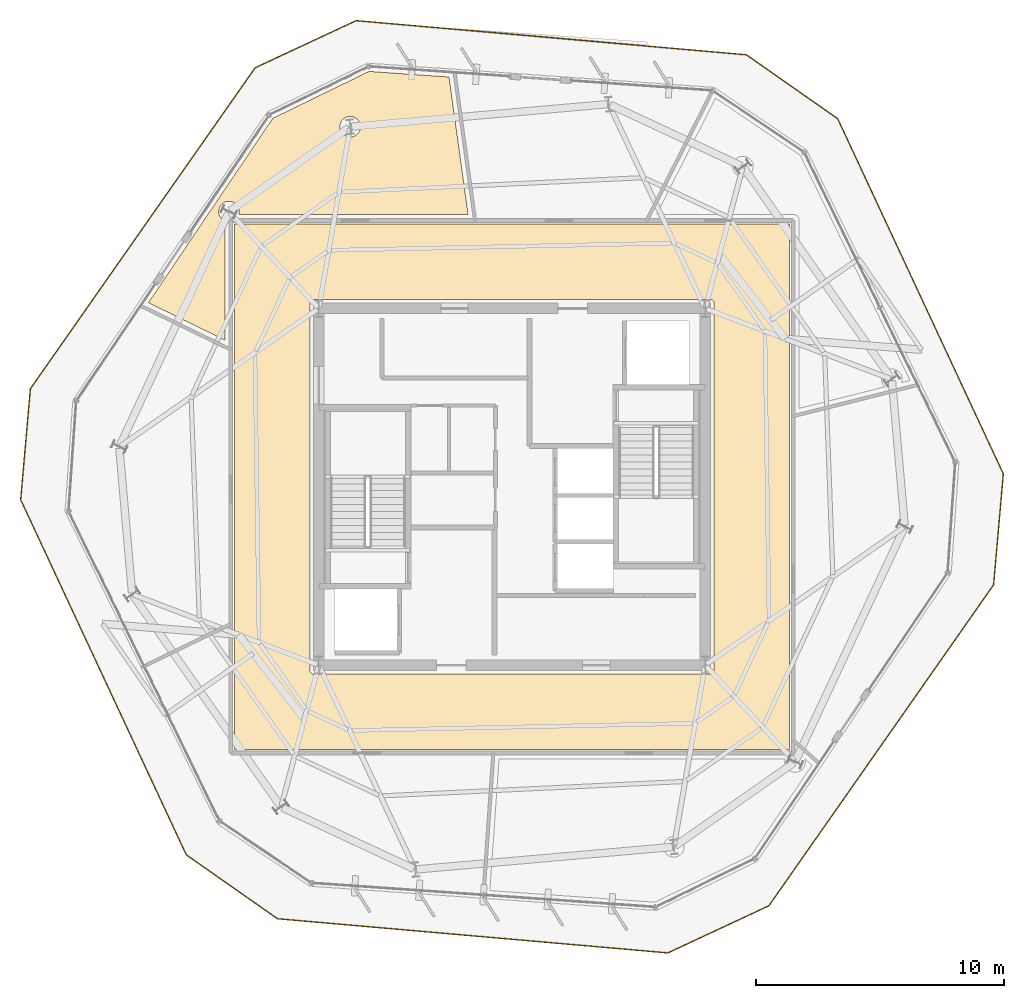
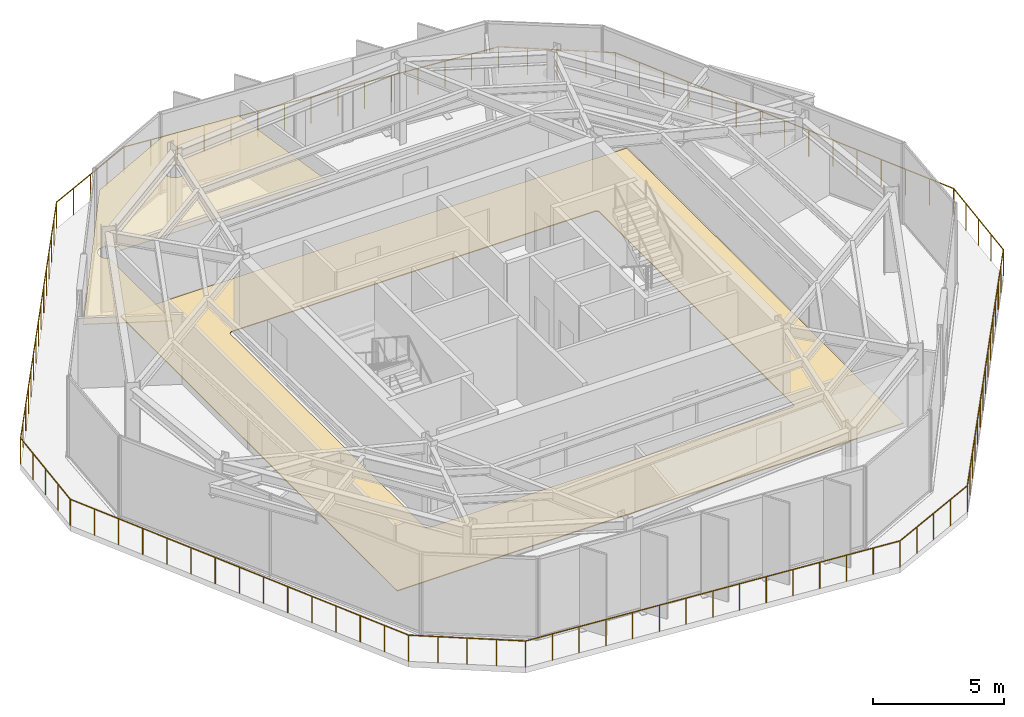
# One storey, part 11 of 12: 2 coverings, 1 railing.
"""IFC4 building model written with IfcOpenShell, lengths in metres."""

import ifcopenshell
import ifcopenshell.guid

model = None  # the IFC model being written
_history = None  # IfcOwnerHistory: only IFC2X3 demands one
_inside = {}  # id of a spatial element -> (the spatial element, [elements in it])
_under = {}  # id of a project, library or spatial element -> (it, [spatial elements below it])
_declared = {}  # id of a project -> (the project, [libraries it declares])
_typed = {}  # id of a type object -> (the type object, [elements of that type])
_made_of = {}  # id of a material, layer set ... -> (it, [elements and type objects made of it])


def new_model(schema):
    """Start an empty IFC model of exactly this schema.

    Asked for "IFC4X3", IfcOpenShell would pick the latest addendum, in which some entities
    have other attributes; the version numbers below select the first issue.
    IFC2X3 requires an IfcOwnerHistory on every rooted entity: one is made here for all.
    """
    global model, _history
    if schema == "IFC4X3":
        model = ifcopenshell.file(schema_version=(4, 3, 0, 0))
    else:
        model = ifcopenshell.file(schema=schema)
    _inside.clear()
    _under.clear()
    _declared.clear()
    _typed.clear()
    _made_of.clear()
    _history = None
    if model.schema == "IFC2X3":
        org = make("IfcOrganization", Name="unknown")
        user = make(
            "IfcPersonAndOrganization",
            ThePerson=make("IfcPerson", FamilyName="unknown"),
            TheOrganization=org,
        )
        app = make(
            "IfcApplication",
            ApplicationDeveloper=org,
            Version="unknown",
            ApplicationFullName="unknown",
            ApplicationIdentifier="unknown",
        )
        _history = make(
            "IfcOwnerHistory",
            OwningUser=user,
            OwningApplication=app,
            ChangeAction="ADDED",
            CreationDate=0,
        )
    return model


def make(cls, **values):
    """One entity of the class cls with the attributes given. An attribute that is None is left unset."""
    return model.create_entity(
        cls, **{name: value for name, value in values.items() if value is not None}
    )


def rooted(cls, **values):
    """An entity with a GlobalId (a new one), such as an element, a storey or a relation."""
    return make(cls, GlobalId=ifcopenshell.guid.new(), OwnerHistory=_history, **values)


def si_unit(unit_type, name, prefix=None):
    """IfcSIUnit, for example si_unit("LENGTHUNIT", "METRE", prefix="MILLI")."""
    return make("IfcSIUnit", UnitType=unit_type, Prefix=prefix, Name=name)


def assignment(units):
    """IfcUnitAssignment: the units of a project."""
    return None if units is None else make("IfcUnitAssignment", Units=units)


def point(xyz):
    """IfcCartesianPoint."""
    return None if xyz is None else make("IfcCartesianPoint", Coordinates=xyz)


def direction(xyz):
    """IfcDirection."""
    return None if xyz is None else make("IfcDirection", DirectionRatios=xyz)


def frame(location, z_axis=None, x_axis=None):
    """IfcAxis2Placement3D, a coordinate frame: its origin and axes. An axis left out is left unset."""
    return make(
        "IfcAxis2Placement3D",
        Location=point(location),
        Axis=direction(z_axis),
        RefDirection=direction(x_axis),
    )


def frame_2d(location, x_axis=None):
    """IfcAxis2Placement2D, a coordinate frame in the plane: its origin and x axis."""
    return make(
        "IfcAxis2Placement2D", Location=point(location), RefDirection=direction(x_axis)
    )


def origin():
    """The frame at (0, 0, 0) with its axes left unset."""
    return frame((0.0, 0.0, 0.0))


def origin_2d():
    """The frame at (0, 0) in the plane with its x axis left unset."""
    return frame_2d((0.0, 0.0))


def place(relative_to, where):
    """IfcLocalPlacement: puts the frame where relative to a parent placement (None: the world)."""
    return make(
        "IfcLocalPlacement", PlacementRelTo=relative_to, RelativePlacement=where
    )


def context(
    kind, dimensions, precision=None, world=None, true_north=None, identifier=None
):
    """IfcGeometricRepresentationContext, for example the 3D "Model" context."""
    return make(
        "IfcGeometricRepresentationContext",
        ContextIdentifier=identifier,
        ContextType=kind,
        CoordinateSpaceDimension=dimensions,
        Precision=precision,
        WorldCoordinateSystem=world,
        TrueNorth=true_north,
    )


def subcontext(parent, identifier, kind, view, scale=None):
    """IfcGeometricRepresentationSubContext, for example "Body" below "Model"."""
    return make(
        "IfcGeometricRepresentationSubContext",
        ContextIdentifier=identifier,
        ContextType=kind,
        ParentContext=parent,
        TargetScale=scale,
        TargetView=view,
    )


def project(units=None, contexts=None):
    """IfcProject with its units and contexts."""
    return rooted(
        "IfcProject",
        Name="project",
        RepresentationContexts=contexts,
        UnitsInContext=assignment(units),
    )


def spatial(cls, under=None, at=None, **own):
    """A site, building, storey or space (cls), placed at a placement, below another one or the project."""
    s = rooted(cls, ObjectPlacement=at, **own)
    if under is not None:
        _under.setdefault(under.id(), (under, []))[1].append(s)
    return s


def polyline(points):
    """IfcPolyline through the points."""
    return make("IfcPolyline", Points=[point(p) for p in points])


def profile(cls, at=None, kind="AREA", **sizes):
    """A parametric profile (cls). Its sizes go by their IFC names, for example OverallWidth=200.0."""
    return make(cls, ProfileType=kind, Position=at, **sizes)


def circle(**sizes):
    """IfcCircleProfileDef."""
    return profile("IfcCircleProfileDef", **sizes)


def outline(outer, holes=None, kind="AREA"):
    """IfcArbitraryClosedProfileDef: a profile drawn as a closed curve; with holes, ...WithVoids."""
    if holes is None:
        return make("IfcArbitraryClosedProfileDef", ProfileType=kind, OuterCurve=outer)
    return make(
        "IfcArbitraryProfileDefWithVoids",
        ProfileType=kind,
        OuterCurve=outer,
        InnerCurves=holes,
    )


def extrude(swept, where, along, depth):
    """IfcExtrudedAreaSolid: the profile swept, set in the frame where, extruded along a direction by depth."""
    return make(
        "IfcExtrudedAreaSolid",
        SweptArea=swept,
        Position=where,
        ExtrudedDirection=direction(along),
        Depth=depth,
    )


def shape(context_of_items, identifier, shape_type, items):
    """IfcShapeRepresentation: the items that make up one representation, for example the "Body"."""
    return make(
        "IfcShapeRepresentation",
        ContextOfItems=context_of_items,
        RepresentationIdentifier=identifier,
        RepresentationType=shape_type,
        Items=items,
    )


def material(Name=None, Category=None):
    """IfcMaterial."""
    return make("IfcMaterial", Name=Name, Category=Category)


def layer(
    of_material, thickness, ventilated=None, Name=None, Category=None, Priority=None
):
    """IfcMaterialLayer: one layer of a wall or slab, of a material (None: an air gap)."""
    return make(
        "IfcMaterialLayer",
        Material=of_material,
        LayerThickness=thickness,
        IsVentilated=ventilated,
        Name=Name,
        Category=Category,
        Priority=Priority,
    )


def layer_set(layers, Name=None):
    """IfcMaterialLayerSet."""
    return make("IfcMaterialLayerSet", MaterialLayers=layers, LayerSetName=Name)


def made_of(thing, what):
    """Note that an element or type object is made of a material, layer set ...; save() writes the relation."""
    if what is not None:
        _made_of.setdefault(what.id(), (what, []))[1].append(thing)
    return thing


def type_object(cls, material=None, **own):
    """A type object (cls), such as IfcWallType, which elements share."""
    return made_of(rooted(cls, **own), material)


def element(
    cls,
    number,
    at=None,
    inside=None,
    cuts=None,
    type_object=None,
    material=None,
    context=None,
    identifier="Body",
    shape_type=None,
    held_by="IfcProductDefinitionShape",
    body=None,
    shapes=None,
    **own,
):
    """One element of the class cls, such as IfcWall. Its Tag is "e" and its number.

    at: its placement. inside: the storey or other place that contains it. cuts: it is an
    opening in that element (IfcRelVoidsElement). A single representation is given by context,
    identifier, shape_type and body (its items); several are given by shapes. held_by: the class
    of the entity that holds the representations. save() writes the other relations.
    """
    e = rooted(cls, Tag="e%d" % number, ObjectPlacement=at, **own)
    if body is not None:
        shapes = [shape(context, identifier, shape_type, body)]
    if shapes is not None:
        e.Representation = make(held_by, Representations=shapes)
    if inside is not None:
        _inside.setdefault(inside.id(), (inside, []))[1].append(e)
    if cuts is not None:
        rooted(
            "IfcRelVoidsElement", RelatingBuildingElement=cuts, RelatedOpeningElement=e
        )
    if type_object is not None:
        _typed.setdefault(type_object.id(), (type_object, []))[1].append(e)
    return made_of(e, material)


def aggregate(whole, parts):
    """IfcRelAggregates: a whole, such as a stair, and the parts it consists of."""
    return rooted("IfcRelAggregates", RelatingObject=whole, RelatedObjects=parts)


def save(model, path):
    """Write the relations noted so far, then the file.

    IfcRelAggregates (storeys below a building ...), IfcRelContainedInSpatialStructure (elements
    in a storey), IfcRelDefinesByType, IfcRelAssociatesMaterial and IfcRelDeclares: one each for
    every whole, place, type object, material and project.
    """
    for whole, parts in _under.values():
        aggregate(whole, parts)
    for where, things in _inside.values():
        rooted(
            "IfcRelContainedInSpatialStructure",
            RelatedElements=things,
            RelatingStructure=where,
        )
    for kind, things in _typed.values():
        rooted("IfcRelDefinesByType", RelatedObjects=things, RelatingType=kind)
    for what, things in _made_of.values():
        rooted("IfcRelAssociatesMaterial", RelatedObjects=things, RelatingMaterial=what)
    for by, libraries in _declared.values():
        rooted("IfcRelDeclares", RelatingContext=by, RelatedDefinitions=libraries)
    model.write(path)


model = new_model("IFC4")

# Units and contexts
model_context = context("Model", 3, precision=1e-05, world=origin(), true_north=direction((0.0, 1.0)))
body_context = subcontext(model_context, "Body", "Model", "MODEL_VIEW")
ifc_project = project(units=[si_unit("LENGTHUNIT", "METRE"), si_unit("AREAUNIT", "SQUARE_METRE"), si_unit("VOLUMEUNIT", "CUBIC_METRE"), si_unit("PLANEANGLEUNIT", "RADIAN"), si_unit("MASSUNIT", "GRAM", prefix="KILO")], contexts=[model_context])

# Site, building, storey
site_placement = place(None, origin())
site = spatial("IfcSite", under=ifc_project, at=site_placement, CompositionType="ELEMENT")
building_placement = place(site_placement, origin())
building = spatial("IfcBuilding", under=site, at=building_placement, Name="Kranzbogen Civic Tower", CompositionType="ELEMENT")
storey_placement = place(building_placement, frame((0.0, 0.0, 250.199951171875)))
storey = spatial("IfcBuildingStorey", under=building, at=storey_placement, Name="L60", CompositionType="ELEMENT", Elevation=250.199951171875)

# Coverings
ifc_material_1 = material(Name="Honed Natural Stone Flooring", Category="masonry")
ifc_layer_1 = layer(ifc_material_1, 0.0400390625, Name="Honed Natural Stone Flooring")
ifc_layer_set_1 = layer_set([ifc_layer_1], Name="Honed Natural Stone Flooring")
covering_type_1 = type_object("IfcCoveringType", Name="Honed Limestone Lobby Flooring 40 mm", PredefinedType="FLOORING", material=ifc_layer_set_1)
covering_1_placement = place(storey_placement, origin())
element("IfcCovering", 1, at=covering_1_placement, inside=storey, type_object=covering_type_1, Name="L60 concourse stone flooring 1", PredefinedType="FLOORING", context=body_context, shape_type="SweptSolid", body=[
    extrude(outline(polyline([(13.800048828125, 35.60009765625), (36.199951171875, 35.60009765625), (36.199951171875, 14.39990234375), (13.800048828125, 14.39990234375), (13.800048828125, 35.60009765625)]), holes=[polyline([(33.010009765625, 32.56005859375), (33.02490234375, 32.55908203125), (33.0390625, 32.556884765625), (33.053955078125, 32.553955078125), (33.06689453125, 32.549072265625), (33.0810546875, 32.5419921875), (33.093017578125, 32.534912109375), (33.10498046875, 32.52587890625), (33.115966796875, 32.51611328125), (33.1259765625, 32.5048828125), (33.135009765625, 32.492919921875), (33.14208984375, 32.48095703125), (33.14892578125, 32.467041015625), (33.154052734375, 32.4541015625), (33.156982421875, 32.43896484375), (33.158935546875, 32.425048828125), (33.159912109375, 32.409912109375), (33.159912109375, 17.590087890625), (33.158935546875, 17.574951171875), (33.156982421875, 17.56103515625), (33.154052734375, 17.5458984375), (33.14892578125, 17.532958984375), (33.14208984375, 17.51904296875), (33.135009765625, 17.507080078125), (33.1259765625, 17.4951171875), (33.115966796875, 17.48388671875), (33.10498046875, 17.47412109375), (33.093017578125, 17.465087890625), (33.0810546875, 17.4580078125), (33.06689453125, 17.450927734375), (33.053955078125, 17.446044921875), (33.0390625, 17.443115234375), (33.02490234375, 17.44091796875), (33.010009765625, 17.43994140625), (16.989990234375, 17.43994140625), (16.97509765625, 17.44091796875), (16.9609375, 17.443115234375), (16.946044921875, 17.446044921875), (16.93310546875, 17.450927734375), (16.9189453125, 17.4580078125), (16.906982421875, 17.465087890625), (16.89501953125, 17.47412109375), (16.884033203125, 17.48388671875), (16.8740234375, 17.4951171875), (16.864990234375, 17.507080078125), (16.85791015625, 17.51904296875), (16.85107421875, 17.532958984375), (16.845947265625, 17.5458984375), (16.843017578125, 17.56103515625), (16.841064453125, 17.574951171875), (16.840087890625, 17.590087890625), (16.840087890625, 32.409912109375), (16.841064453125, 32.425048828125), (16.843017578125, 32.43896484375), (16.845947265625, 32.4541015625), (16.85107421875, 32.467041015625), (16.85791015625, 32.48095703125), (16.864990234375, 32.492919921875), (16.8740234375, 32.5048828125), (16.884033203125, 32.51611328125), (16.89501953125, 32.52587890625), (16.906982421875, 32.534912109375), (16.9189453125, 32.5419921875), (16.93310546875, 32.549072265625), (16.946044921875, 32.553955078125), (16.9609375, 32.556884765625), (16.97509765625, 32.55908203125), (16.989990234375, 32.56005859375), (33.010009765625, 32.56005859375)])]), origin(), (0.0, 0.0, 1.0), 0.0400390625),
])
ifc_material_2 = material(Name="Perforated Acoustic Gypsum Ceiling")
ifc_layer_2 = layer(ifc_material_2, 0.02490234375, Name="Perforated Acoustic Gypsum Ceiling")
ifc_layer_set_2 = layer_set([ifc_layer_2], Name="Perforated Acoustic Gypsum Ceiling")
covering_type_2 = type_object("IfcCoveringType", Name="Perforated Acoustic Mineral Ceiling Tile 25 mm", PredefinedType="CEILING", material=ifc_layer_set_2)
covering_2_placement = place(storey_placement, frame((0.0, 0.0, 2.75)))
element("IfcCovering", 2, at=covering_2_placement, inside=storey, type_object=covering_type_2, Name="L60 Licensing Information Kiosk acoustic ceiling", PredefinedType="CEILING", context=body_context, shape_type="SweptSolid", body=[
    extrude(outline(polyline([(19.22802734375, 41.76904296875), (22.458984375, 41.54296875), (23.22802734375, 35.9951171875), (13.97412109375, 35.9951171875), (13.98193359375, 36.029052734375), (13.988037109375, 36.069091796875), (13.989990234375, 36.110107421875), (13.988037109375, 36.15087890625), (13.98193359375, 36.19091796875), (13.972900390625, 36.23095703125), (13.958984375, 36.26904296875), (13.94091796875, 36.305908203125), (13.919921875, 36.341064453125), (13.89599609375, 36.3740234375), (13.868896484375, 36.404052734375), (13.839111328125, 36.430908203125), (13.805908203125, 36.455078125), (13.77099609375, 36.47607421875), (13.73388671875, 36.493896484375), (13.696044921875, 36.508056640625), (13.656005859375, 36.51708984375), (13.615966796875, 36.52294921875), (13.574951171875, 36.52490234375), (13.533935546875, 36.52294921875), (13.493896484375, 36.51708984375), (13.4541015625, 36.508056640625), (13.416015625, 36.493896484375), (13.37890625, 36.47607421875), (13.343994140625, 36.455078125), (13.31103515625, 36.430908203125), (13.281005859375, 36.404052734375), (13.25390625, 36.3740234375), (13.22998046875, 36.341064453125), (13.208984375, 36.305908203125), (13.19091796875, 36.26904296875), (13.177001953125, 36.23095703125), (13.16796875, 36.19091796875), (13.162109375, 36.15087890625), (13.159912109375, 36.110107421875), (13.162109375, 36.069091796875), (13.16796875, 36.029052734375), (13.177001953125, 35.989013671875), (13.19091796875, 35.950927734375), (13.208984375, 35.9140625), (13.22998046875, 35.87890625), (13.25390625, 35.845947265625), (13.281005859375, 35.81591796875), (13.31103515625, 35.7890625), (13.343994140625, 35.764892578125), (13.37890625, 35.743896484375), (13.405029296875, 35.73095703125), (13.405029296875, 30.925048828125), (10.320068359375, 32.428955078125), (15.340087890625, 39.8720703125), (19.22802734375, 41.76904296875)]), holes=[polyline([(18.85107421875, 39.376953125), (18.8330078125, 39.340087890625), (18.81201171875, 39.304931640625), (18.7880859375, 39.27197265625), (18.760986328125, 39.241943359375), (18.73095703125, 39.215087890625), (18.697998046875, 39.19091796875), (18.6630859375, 39.169921875), (18.6259765625, 39.152099609375), (18.587890625, 39.137939453125), (18.548095703125, 39.12890625), (18.508056640625, 39.123046875), (18.467041015625, 39.12109375), (18.426025390625, 39.123046875), (18.385986328125, 39.12890625), (18.345947265625, 39.137939453125), (18.30810546875, 39.152099609375), (18.27099609375, 39.169921875), (18.236083984375, 39.19091796875), (18.202880859375, 39.215087890625), (18.173095703125, 39.241943359375), (18.14599609375, 39.27197265625), (18.1220703125, 39.304931640625), (18.10107421875, 39.340087890625), (18.0830078125, 39.376953125), (18.069091796875, 39.4150390625), (18.06005859375, 39.455078125), (18.053955078125, 39.4951171875), (18.052001953125, 39.535888671875), (18.053955078125, 39.576904296875), (18.06005859375, 39.616943359375), (18.069091796875, 39.656982421875), (18.0830078125, 39.695068359375), (18.10107421875, 39.73193359375), (18.1220703125, 39.76708984375), (18.14599609375, 39.800048828125), (18.173095703125, 39.830078125), (18.202880859375, 39.85693359375), (18.236083984375, 39.881103515625), (18.27099609375, 39.902099609375), (18.30810546875, 39.919921875), (18.345947265625, 39.93408203125), (18.385986328125, 39.943115234375), (18.426025390625, 39.948974609375), (18.467041015625, 39.950927734375), (18.508056640625, 39.948974609375), (18.548095703125, 39.943115234375), (18.587890625, 39.93408203125), (18.6259765625, 39.919921875), (18.6630859375, 39.902099609375), (18.697998046875, 39.881103515625), (18.73095703125, 39.85693359375), (18.760986328125, 39.830078125), (18.7880859375, 39.800048828125), (18.81201171875, 39.76708984375), (18.8330078125, 39.73193359375), (18.85107421875, 39.695068359375), (18.864990234375, 39.656982421875), (18.8740234375, 39.616943359375), (18.8798828125, 39.576904296875), (18.882080078125, 39.535888671875), (18.8798828125, 39.4951171875), (18.8740234375, 39.455078125), (18.864990234375, 39.4150390625), (18.85107421875, 39.376953125)])]), origin(), (0.0, 0.0, 1.0), 0.025146484375),
])

# Railing
ifc_material_3 = material(Name="Pale Anodised Aluminium", Category="aluminium")
railing_type = type_object("IfcRailingType", Name="Setback and Roof Garden Safety Balustrade 1250", PredefinedType="BALUSTRADE", material=ifc_material_3)
railing_placement = place(storey_placement, frame((34.466064453125, 42.44091796875, 0.0)))
element("IfcRailing", 3, at=railing_placement, inside=storey, type_object=railing_type, Name="L60 setback terrace perimeter balustrade", PredefinedType="BALUSTRADE", context=body_context, shape_type="SweptSolid", body=[
    extrude(circle(Radius=0.02392578125, at=origin_2d()), frame((0.0, 0.0, 1.22607421875), z_axis=(-0.996192427505, 0.087181691784, 0.0), x_axis=(-0.087181691784, -0.996192427505, 0.0)), (0.0, 0.0, 1.0), 15.8193359375),
    extrude(circle(Radius=0.02392578125, at=origin_2d()), frame((-15.759033203125, 1.379150390625, 1.22607421875), z_axis=(-0.906309207168, -0.422615216246, 0.0), x_axis=(0.422615216246, -0.906309207168, 0.0)), (0.0, 0.0, 1.0), 4.500732421875),
    extrude(circle(Radius=0.02392578125, at=origin_2d()), frame((-19.838134765625, -0.52294921875, 1.22607421875), z_axis=(-0.573563850425, -0.819160856905, 0.0), x_axis=(0.819160856905, -0.573563850425, 0.0)), (0.0, 0.0, 1.0), 15.818603515625),
    extrude(circle(Radius=0.02392578125, at=origin_2d()), frame((-28.9111328125, -13.48095703125, 1.22607421875), z_axis=(-0.087292128049, -0.996182756516, 0.0), x_axis=(0.996182756516, -0.087292128049, 0.0)), (0.0, 0.0, 1.0), 4.5),
    extrude(circle(Radius=0.02392578125, at=origin_2d()), frame((-29.303955078125, -17.9638671875, 1.22607421875), z_axis=(0.422631987541, -0.906301386464, 0.0), x_axis=(0.906301386464, 0.422631987541, 0.0)), (0.0, 0.0, 1.0), 15.8193359375),
    extrude(circle(Radius=0.02392578125, at=origin_2d()), frame((-22.6181640625, -32.301025390625, 1.22607421875), z_axis=(0.819170740288, -0.573549734772, 0.0), x_axis=(0.573549734772, 0.819170740288, 0.0)), (0.0, 0.0, 1.0), 4.499755859375),
    extrude(circle(Radius=0.02392578125, at=origin_2d()), frame((-18.93212890625, -34.8818359375, 1.22607421875), z_axis=(0.996192427505, -0.087181691784, 0.0), x_axis=(0.087181691784, 0.996192427505, 0.0)), (0.0, 0.0, 1.0), 15.8193359375),
    extrude(circle(Radius=0.02392578125, at=origin_2d()), frame((-3.173095703125, -36.260986328125, 1.22607421875), z_axis=(0.906309207168, 0.422615216246, 0.0), x_axis=(-0.422615216246, 0.906309207168, 0.0)), (0.0, 0.0, 1.0), 4.500732421875),
    extrude(circle(Radius=0.02392578125, at=origin_2d()), frame((0.906005859375, -34.35888671875, 1.22607421875), z_axis=(0.573563850425, 0.819160856905, 0.0), x_axis=(-0.819160856905, 0.573563850425, 0.0)), (0.0, 0.0, 1.0), 15.818603515625),
    extrude(circle(Radius=0.02392578125, at=origin_2d()), frame((9.97900390625, -21.40087890625, 1.22607421875), z_axis=(0.087292128049, 0.996182756516, 0.0), x_axis=(-0.996182756516, 0.087292128049, 0.0)), (0.0, 0.0, 1.0), 4.5),
    extrude(circle(Radius=0.02392578125, at=origin_2d()), frame((10.371826171875, -16.91796875, 1.22607421875), z_axis=(-0.422631987541, 0.906301386464, 0.0), x_axis=(-0.906301386464, -0.422631987541, 0.0)), (0.0, 0.0, 1.0), 15.8193359375),
    extrude(circle(Radius=0.02392578125, at=origin_2d()), frame((3.68603515625, -2.580810546875, 1.22607421875), z_axis=(-0.819170740288, 0.573549734772, 0.0), x_axis=(-0.573549734772, -0.819170740288, 0.0)), (0.0, 0.0, 1.0), 4.499755859375),
    extrude(circle(Radius=0.02099609375, at=origin_2d()), origin(), (0.0, 0.0, 1.0), 1.201904296875),
    extrude(circle(Radius=0.02099609375, at=origin_2d()), frame((-1.125732421875, 0.0986328125, 0.0)), (0.0, 0.0, 1.0), 1.201904296875),
    extrude(circle(Radius=0.02099609375, at=origin_2d()), frame((-2.251220703125, 0.197021484375, 0.0)), (0.0, 0.0, 1.0), 1.201904296875),
    extrude(circle(Radius=0.02099609375, at=origin_2d()), frame((-3.376953125, 0.29541015625, 0.0)), (0.0, 0.0, 1.0), 1.201904296875),
    extrude(circle(Radius=0.02099609375, at=origin_2d()), frame((-4.502685546875, 0.39404296875, 0.0)), (0.0, 0.0, 1.0), 1.201904296875),
    extrude(circle(Radius=0.02099609375, at=origin_2d()), frame((-5.628173828125, 0.49267578125, 0.0)), (0.0, 0.0, 1.0), 1.201904296875),
    extrude(circle(Radius=0.02099609375, at=origin_2d()), frame((-6.75390625, 0.591064453125, 0.0)), (0.0, 0.0, 1.0), 1.201904296875),
    extrude(circle(Radius=0.02099609375, at=origin_2d()), frame((-7.87939453125, 0.689453125, 0.0)), (0.0, 0.0, 1.0), 1.201904296875),
    extrude(circle(Radius=0.02099609375, at=origin_2d()), frame((-9.005126953125, 0.7880859375, 0.0)), (0.0, 0.0, 1.0), 1.201904296875),
    extrude(circle(Radius=0.02099609375, at=origin_2d()), frame((-10.130859375, 0.88671875, 0.0)), (0.0, 0.0, 1.0), 1.201904296875),
    extrude(circle(Radius=0.02099609375, at=origin_2d()), frame((-11.25634765625, 0.985107421875, 0.0)), (0.0, 0.0, 1.0), 1.201904296875),
    extrude(circle(Radius=0.02099609375, at=origin_2d()), frame((-12.382080078125, 1.08349609375, 0.0)), (0.0, 0.0, 1.0), 1.201904296875),
    extrude(circle(Radius=0.02099609375, at=origin_2d()), frame((-13.5078125, 1.18212890625, 0.0)), (0.0, 0.0, 1.0), 1.201904296875),
    extrude(circle(Radius=0.02099609375, at=origin_2d()), frame((-14.63330078125, 1.28076171875, 0.0)), (0.0, 0.0, 1.0), 1.201904296875),
    extrude(circle(Radius=0.02099609375, at=origin_2d()), frame((-15.759033203125, 1.379150390625, 0.0)), (0.0, 0.0, 1.0), 1.201904296875),
    extrude(circle(Radius=0.02099609375, at=origin_2d()), frame((-16.77880859375, 0.903564453125, 0.0)), (0.0, 0.0, 1.0), 1.201904296875),
    extrude(circle(Radius=0.02099609375, at=origin_2d()), frame((-17.798583984375, 0.42822265625, 0.0)), (0.0, 0.0, 1.0), 1.201904296875),
    extrude(circle(Radius=0.02099609375, at=origin_2d()), frame((-18.818359375, -0.04736328125, 0.0)), (0.0, 0.0, 1.0), 1.201904296875),
    extrude(circle(Radius=0.02099609375, at=origin_2d()), frame((-19.838134765625, -0.52294921875, 0.0)), (0.0, 0.0, 1.0), 1.201904296875),
    extrude(circle(Radius=0.02099609375, at=origin_2d()), frame((-20.486328125, -1.448486328125, 0.0)), (0.0, 0.0, 1.0), 1.201904296875),
    extrude(circle(Radius=0.02099609375, at=origin_2d()), frame((-21.13427734375, -2.3740234375, 0.0)), (0.0, 0.0, 1.0), 1.201904296875),
    extrude(circle(Radius=0.02099609375, at=origin_2d()), frame((-21.7822265625, -3.299560546875, 0.0)), (0.0, 0.0, 1.0), 1.201904296875),
    extrude(circle(Radius=0.02099609375, at=origin_2d()), frame((-22.430419921875, -4.225341796875, 0.0)), (0.0, 0.0, 1.0), 1.201904296875),
    extrude(circle(Radius=0.02099609375, at=origin_2d()), frame((-23.07861328125, -5.15087890625, 0.0)), (0.0, 0.0, 1.0), 1.201904296875),
    extrude(circle(Radius=0.02099609375, at=origin_2d()), frame((-23.7265625, -6.076416015625, 0.0)), (0.0, 0.0, 1.0), 1.201904296875),
    extrude(circle(Radius=0.02099609375, at=origin_2d()), frame((-24.37451171875, -7.001953125, 0.0)), (0.0, 0.0, 1.0), 1.201904296875),
    extrude(circle(Radius=0.02099609375, at=origin_2d()), frame((-25.022705078125, -7.927490234375, 0.0)), (0.0, 0.0, 1.0), 1.201904296875),
    extrude(circle(Radius=0.02099609375, at=origin_2d()), frame((-25.6708984375, -8.85302734375, 0.0)), (0.0, 0.0, 1.0), 1.201904296875),
    extrude(circle(Radius=0.02099609375, at=origin_2d()), frame((-26.31884765625, -9.778564453125, 0.0)), (0.0, 0.0, 1.0), 1.201904296875),
    extrude(circle(Radius=0.02099609375, at=origin_2d()), frame((-26.966796875, -10.704345703125, 0.0)), (0.0, 0.0, 1.0), 1.201904296875),
    extrude(circle(Radius=0.02099609375, at=origin_2d()), frame((-27.614990234375, -11.6298828125, 0.0)), (0.0, 0.0, 1.0), 1.201904296875),
    extrude(circle(Radius=0.02099609375, at=origin_2d()), frame((-28.26318359375, -12.555419921875, 0.0)), (0.0, 0.0, 1.0), 1.201904296875),
    extrude(circle(Radius=0.02099609375, at=origin_2d()), frame((-28.9111328125, -13.48095703125, 0.0)), (0.0, 0.0, 1.0), 1.201904296875),
    extrude(circle(Radius=0.02099609375, at=origin_2d()), frame((-29.00927734375, -14.6015625, 0.0)), (0.0, 0.0, 1.0), 1.201904296875),
    extrude(circle(Radius=0.02099609375, at=origin_2d()), frame((-29.107421875, -15.722412109375, 0.0)), (0.0, 0.0, 1.0), 1.201904296875),
    extrude(circle(Radius=0.02099609375, at=origin_2d()), frame((-29.205810546875, -16.84326171875, 0.0)), (0.0, 0.0, 1.0), 1.201904296875),
    extrude(circle(Radius=0.02099609375, at=origin_2d()), frame((-29.303955078125, -17.9638671875, 0.0)), (0.0, 0.0, 1.0), 1.201904296875),
    extrude(circle(Radius=0.02099609375, at=origin_2d()), frame((-28.826416015625, -18.988037109375, 0.0)), (0.0, 0.0, 1.0), 1.201904296875),
    extrude(circle(Radius=0.02099609375, at=origin_2d()), frame((-28.348876953125, -20.011962890625, 0.0)), (0.0, 0.0, 1.0), 1.201904296875),
    extrude(circle(Radius=0.02099609375, at=origin_2d()), frame((-27.871337890625, -21.0361328125, 0.0)), (0.0, 0.0, 1.0), 1.201904296875),
    extrude(circle(Radius=0.02099609375, at=origin_2d()), frame((-27.393798828125, -22.060302734375, 0.0)), (0.0, 0.0, 1.0), 1.201904296875),
    extrude(circle(Radius=0.02099609375, at=origin_2d()), frame((-26.916259765625, -23.084228515625, 0.0)), (0.0, 0.0, 1.0), 1.201904296875),
    extrude(circle(Radius=0.02099609375, at=origin_2d()), frame((-26.438720703125, -24.1083984375, 0.0)), (0.0, 0.0, 1.0), 1.201904296875),
    extrude(circle(Radius=0.02099609375, at=origin_2d()), frame((-25.9609375, -25.13232421875, 0.0)), (0.0, 0.0, 1.0), 1.201904296875),
    extrude(circle(Radius=0.02099609375, at=origin_2d()), frame((-25.4833984375, -26.156494140625, 0.0)), (0.0, 0.0, 1.0), 1.201904296875),
    extrude(circle(Radius=0.02099609375, at=origin_2d()), frame((-25.005859375, -27.1806640625, 0.0)), (0.0, 0.0, 1.0), 1.201904296875),
    extrude(circle(Radius=0.02099609375, at=origin_2d()), frame((-24.5283203125, -28.20458984375, 0.0)), (0.0, 0.0, 1.0), 1.201904296875),
    extrude(circle(Radius=0.02099609375, at=origin_2d()), frame((-24.05078125, -29.228759765625, 0.0)), (0.0, 0.0, 1.0), 1.201904296875),
    extrude(circle(Radius=0.02099609375, at=origin_2d()), frame((-23.5732421875, -30.2529296875, 0.0)), (0.0, 0.0, 1.0), 1.201904296875),
    extrude(circle(Radius=0.02099609375, at=origin_2d()), frame((-23.095703125, -31.27685546875, 0.0)), (0.0, 0.0, 1.0), 1.201904296875),
    extrude(circle(Radius=0.02099609375, at=origin_2d()), frame((-22.6181640625, -32.301025390625, 0.0)), (0.0, 0.0, 1.0), 1.201904296875),
    extrude(circle(Radius=0.02099609375, at=origin_2d()), frame((-21.69677734375, -32.9462890625, 0.0)), (0.0, 0.0, 1.0), 1.201904296875),
    extrude(circle(Radius=0.02099609375, at=origin_2d()), frame((-20.775146484375, -33.59130859375, 0.0)), (0.0, 0.0, 1.0), 1.201904296875),
    extrude(circle(Radius=0.02099609375, at=origin_2d()), frame((-19.853515625, -34.236572265625, 0.0)), (0.0, 0.0, 1.0), 1.201904296875),
    extrude(circle(Radius=0.02099609375, at=origin_2d()), frame((-18.93212890625, -34.8818359375, 0.0)), (0.0, 0.0, 1.0), 1.201904296875),
    extrude(circle(Radius=0.02099609375, at=origin_2d()), frame((-17.806396484375, -34.98046875, 0.0)), (0.0, 0.0, 1.0), 1.201904296875),
    extrude(circle(Radius=0.02099609375, at=origin_2d()), frame((-16.680908203125, -35.078857421875, 0.0)), (0.0, 0.0, 1.0), 1.201904296875),
    extrude(circle(Radius=0.02099609375, at=origin_2d()), frame((-15.55517578125, -35.17724609375, 0.0)), (0.0, 0.0, 1.0), 1.201904296875),
    extrude(circle(Radius=0.02099609375, at=origin_2d()), frame((-14.429443359375, -35.27587890625, 0.0)), (0.0, 0.0, 1.0), 1.201904296875),
    extrude(circle(Radius=0.02099609375, at=origin_2d()), frame((-13.303955078125, -35.37451171875, 0.0)), (0.0, 0.0, 1.0), 1.201904296875),
    extrude(circle(Radius=0.02099609375, at=origin_2d()), frame((-12.17822265625, -35.472900390625, 0.0)), (0.0, 0.0, 1.0), 1.201904296875),
    extrude(circle(Radius=0.02099609375, at=origin_2d()), frame((-11.052734375, -35.5712890625, 0.0)), (0.0, 0.0, 1.0), 1.201904296875),
    extrude(circle(Radius=0.02099609375, at=origin_2d()), frame((-9.927001953125, -35.669921875, 0.0)), (0.0, 0.0, 1.0), 1.201904296875),
    extrude(circle(Radius=0.02099609375, at=origin_2d()), frame((-8.80126953125, -35.7685546875, 0.0)), (0.0, 0.0, 1.0), 1.201904296875),
    extrude(circle(Radius=0.02099609375, at=origin_2d()), frame((-7.67578125, -35.866943359375, 0.0)), (0.0, 0.0, 1.0), 1.201904296875),
    extrude(circle(Radius=0.02099609375, at=origin_2d()), frame((-6.550048828125, -35.96533203125, 0.0)), (0.0, 0.0, 1.0), 1.201904296875),
    extrude(circle(Radius=0.02099609375, at=origin_2d()), frame((-5.42431640625, -36.06396484375, 0.0)), (0.0, 0.0, 1.0), 1.201904296875),
    extrude(circle(Radius=0.02099609375, at=origin_2d()), frame((-4.298828125, -36.16259765625, 0.0)), (0.0, 0.0, 1.0), 1.201904296875),
    extrude(circle(Radius=0.02099609375, at=origin_2d()), frame((-3.173095703125, -36.260986328125, 0.0)), (0.0, 0.0, 1.0), 1.201904296875),
    extrude(circle(Radius=0.02099609375, at=origin_2d()), frame((-2.1533203125, -35.785400390625, 0.0)), (0.0, 0.0, 1.0), 1.201904296875),
    extrude(circle(Radius=0.02099609375, at=origin_2d()), frame((-1.133544921875, -35.31005859375, 0.0)), (0.0, 0.0, 1.0), 1.201904296875),
    extrude(circle(Radius=0.02099609375, at=origin_2d()), frame((-0.11376953125, -34.83447265625, 0.0)), (0.0, 0.0, 1.0), 1.201904296875),
    extrude(circle(Radius=0.02099609375, at=origin_2d()), frame((0.906005859375, -34.35888671875, 0.0)), (0.0, 0.0, 1.0), 1.201904296875),
    extrude(circle(Radius=0.02099609375, at=origin_2d()), frame((1.55419921875, -33.433349609375, 0.0)), (0.0, 0.0, 1.0), 1.201904296875),
    extrude(circle(Radius=0.02099609375, at=origin_2d()), frame((2.2021484375, -32.5078125, 0.0)), (0.0, 0.0, 1.0), 1.201904296875),
    extrude(circle(Radius=0.02099609375, at=origin_2d()), frame((2.85009765625, -31.582275390625, 0.0)), (0.0, 0.0, 1.0), 1.201904296875),
    extrude(circle(Radius=0.02099609375, at=origin_2d()), frame((3.498291015625, -30.656494140625, 0.0)), (0.0, 0.0, 1.0), 1.201904296875),
    extrude(circle(Radius=0.02099609375, at=origin_2d()), frame((4.146484375, -29.73095703125, 0.0)), (0.0, 0.0, 1.0), 1.201904296875),
    extrude(circle(Radius=0.02099609375, at=origin_2d()), frame((4.79443359375, -28.805419921875, 0.0)), (0.0, 0.0, 1.0), 1.201904296875),
    extrude(circle(Radius=0.02099609375, at=origin_2d()), frame((5.4423828125, -27.8798828125, 0.0)), (0.0, 0.0, 1.0), 1.201904296875),
    extrude(circle(Radius=0.02099609375, at=origin_2d()), frame((6.090576171875, -26.954345703125, 0.0)), (0.0, 0.0, 1.0), 1.201904296875),
    extrude(circle(Radius=0.02099609375, at=origin_2d()), frame((6.73876953125, -26.02880859375, 0.0)), (0.0, 0.0, 1.0), 1.201904296875),
    extrude(circle(Radius=0.02099609375, at=origin_2d()), frame((7.38671875, -25.103271484375, 0.0)), (0.0, 0.0, 1.0), 1.201904296875),
    extrude(circle(Radius=0.02099609375, at=origin_2d()), frame((8.03466796875, -24.177490234375, 0.0)), (0.0, 0.0, 1.0), 1.201904296875),
    extrude(circle(Radius=0.02099609375, at=origin_2d()), frame((8.682861328125, -23.251953125, 0.0)), (0.0, 0.0, 1.0), 1.201904296875),
    extrude(circle(Radius=0.02099609375, at=origin_2d()), frame((9.3310546875, -22.326416015625, 0.0)), (0.0, 0.0, 1.0), 1.201904296875),
    extrude(circle(Radius=0.02099609375, at=origin_2d()), frame((9.97900390625, -21.40087890625, 0.0)), (0.0, 0.0, 1.0), 1.201904296875),
    extrude(circle(Radius=0.02099609375, at=origin_2d()), frame((10.0771484375, -20.2802734375, 0.0)), (0.0, 0.0, 1.0), 1.201904296875),
    extrude(circle(Radius=0.02099609375, at=origin_2d()), frame((10.17529296875, -19.159423828125, 0.0)), (0.0, 0.0, 1.0), 1.201904296875),
    extrude(circle(Radius=0.02099609375, at=origin_2d()), frame((10.273681640625, -18.03857421875, 0.0)), (0.0, 0.0, 1.0), 1.201904296875),
    extrude(circle(Radius=0.02099609375, at=origin_2d()), frame((10.371826171875, -16.91796875, 0.0)), (0.0, 0.0, 1.0), 1.201904296875),
    extrude(circle(Radius=0.02099609375, at=origin_2d()), frame((9.894287109375, -15.893798828125, 0.0)), (0.0, 0.0, 1.0), 1.201904296875),
    extrude(circle(Radius=0.02099609375, at=origin_2d()), frame((9.416748046875, -14.869873046875, 0.0)), (0.0, 0.0, 1.0), 1.201904296875),
    extrude(circle(Radius=0.02099609375, at=origin_2d()), frame((8.939208984375, -13.845703125, 0.0)), (0.0, 0.0, 1.0), 1.201904296875),
    extrude(circle(Radius=0.02099609375, at=origin_2d()), frame((8.461669921875, -12.821533203125, 0.0)), (0.0, 0.0, 1.0), 1.201904296875),
    extrude(circle(Radius=0.02099609375, at=origin_2d()), frame((7.984130859375, -11.797607421875, 0.0)), (0.0, 0.0, 1.0), 1.201904296875),
    extrude(circle(Radius=0.02099609375, at=origin_2d()), frame((7.506591796875, -10.7734375, 0.0)), (0.0, 0.0, 1.0), 1.201904296875),
    extrude(circle(Radius=0.02099609375, at=origin_2d()), frame((7.02880859375, -9.74951171875, 0.0)), (0.0, 0.0, 1.0), 1.201904296875),
    extrude(circle(Radius=0.02099609375, at=origin_2d()), frame((6.55126953125, -8.725341796875, 0.0)), (0.0, 0.0, 1.0), 1.201904296875),
    extrude(circle(Radius=0.02099609375, at=origin_2d()), frame((6.07373046875, -7.701171875, 0.0)), (0.0, 0.0, 1.0), 1.201904296875),
    extrude(circle(Radius=0.02099609375, at=origin_2d()), frame((5.59619140625, -6.67724609375, 0.0)), (0.0, 0.0, 1.0), 1.201904296875),
    extrude(circle(Radius=0.02099609375, at=origin_2d()), frame((5.11865234375, -5.653076171875, 0.0)), (0.0, 0.0, 1.0), 1.201904296875),
    extrude(circle(Radius=0.02099609375, at=origin_2d()), frame((4.64111328125, -4.62890625, 0.0)), (0.0, 0.0, 1.0), 1.201904296875),
    extrude(circle(Radius=0.02099609375, at=origin_2d()), frame((4.16357421875, -3.60498046875, 0.0)), (0.0, 0.0, 1.0), 1.201904296875),
    extrude(circle(Radius=0.02099609375, at=origin_2d()), frame((3.68603515625, -2.580810546875, 0.0)), (0.0, 0.0, 1.0), 1.201904296875),
    extrude(circle(Radius=0.02099609375, at=origin_2d()), frame((2.7646484375, -1.935546875, 0.0)), (0.0, 0.0, 1.0), 1.201904296875),
    extrude(circle(Radius=0.02099609375, at=origin_2d()), frame((1.843017578125, -1.29052734375, 0.0)), (0.0, 0.0, 1.0), 1.201904296875),
    extrude(circle(Radius=0.02099609375, at=origin_2d()), frame((0.92138671875, -0.645263671875, 0.0)), (0.0, 0.0, 1.0), 1.201904296875),
])

save(model, "model.ifc")
